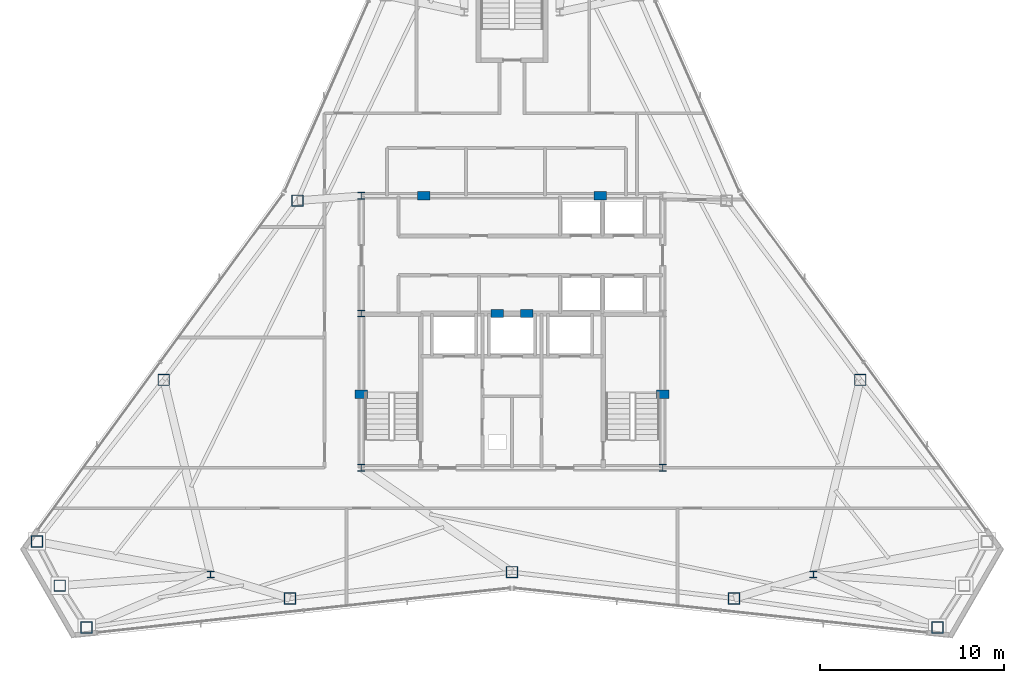
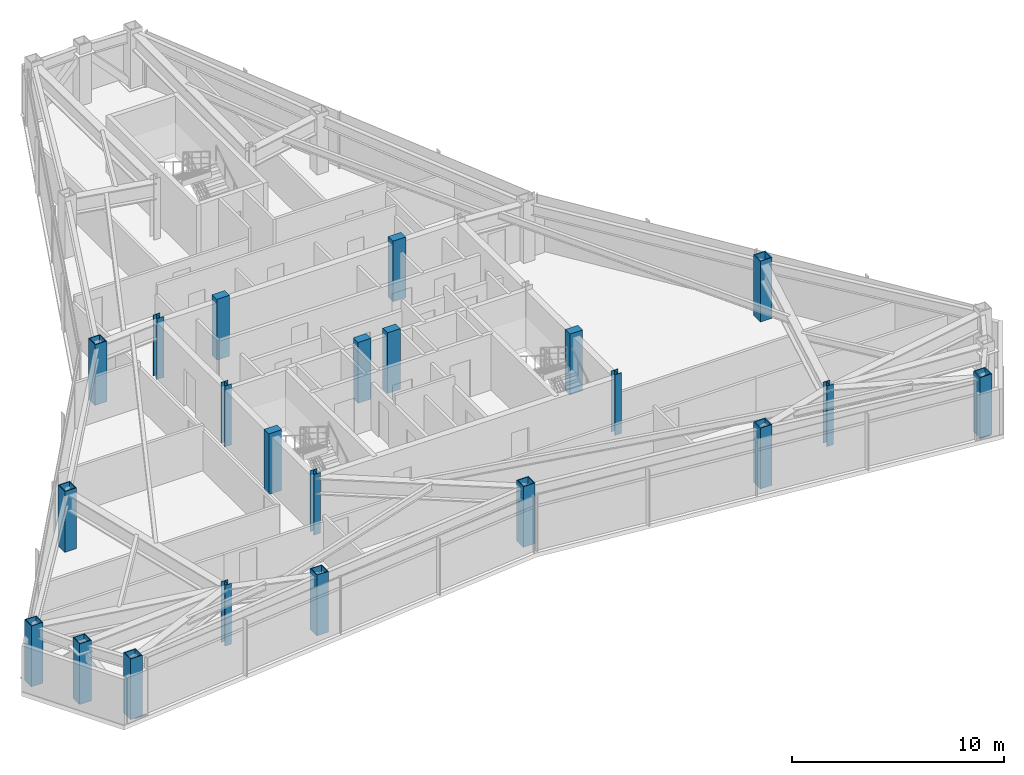
# One storey, part 1 of 12: 22 columns.
"""IFC4 building model written with IfcOpenShell, lengths in metres."""

from ifc_helpers import new_model, si_unit, direction, frame, origin, origin_2d, place, context, subcontext, project, spatial, rectangle, hollow_rectangle, i_section, extrude, material, material_profile, profile_set, type_object, element, save


model = new_model("IFC4")

# Units and contexts
model_context = context("Model", 3, precision=1e-05, world=origin(), true_north=direction((0.0, 1.0)))
body_context = subcontext(model_context, "Body", "Model", "MODEL_VIEW")
ifc_project = project(units=[si_unit("LENGTHUNIT", "METRE"), si_unit("AREAUNIT", "SQUARE_METRE"), si_unit("VOLUMEUNIT", "CUBIC_METRE"), si_unit("PLANEANGLEUNIT", "RADIAN"), si_unit("MASSUNIT", "GRAM", prefix="KILO")], contexts=[model_context])

# Site, building, storey
site_placement = place(None, origin())
site = spatial("IfcSite", under=ifc_project, at=site_placement, CompositionType="ELEMENT")
building_placement = place(site_placement, origin())
building = spatial("IfcBuilding", under=site, at=building_placement, Name="Varakhsha Concourse Tower", CompositionType="ELEMENT")
storey_placement = place(building_placement, frame((0.0, 0.0, 269.0)))
storey = spatial("IfcBuildingStorey", under=building, at=storey_placement, Name="L76", CompositionType="ELEMENT", Elevation=269.0)

# Columns
ifc_material_1 = material(Name="Structural Steel ASTM A992 Grade 50", Category="steel")
ifc_material_profile_1 = material_profile(ifc_material_1, i_section(OverallWidth=0.3740234375, OverallDepth=0.3720703125, WebThickness=0.01611328125, FlangeThickness=0.02587890625, at=origin_2d()), Name="W14X132")
ifc_profile_set_1 = profile_set([ifc_material_profile_1], Name="Structural Steel ASTM A992 Grade 50")
column_type_1 = type_object("IfcColumnType", Name="CL-CORE-W14X132", PredefinedType="COLUMN", material=ifc_profile_set_1)
for number, where, z_axis, x_axis, name in (
    (1, (31.800048828125, 16.39990234375, 0.0), (0.0, 0.0, 1.0), (1.0, 0.0, 0.0), "L76 Core Column CC-SW"),
    (2, (48.199951171875, 16.39990234375, 0.0), (0.0, 0.0, 1.0), (1.0, 0.0, 0.0), "L76 Core Column CC-SE"),
    (3, (31.800048828125, 24.800048828125, 0.0), (0.0, 0.0, 1.0), (1.0, 0.0, 0.0), "L76 Core Column CC-MW"),
    (4, (31.800048828125, 31.199951171875, 0.0), (0.0, 0.0, 1.0), (1.0, 0.0, 0.0), "L76 Core Column CC-NW"),
    (5, (23.60009765625, 10.60009765625, 0.0), (0.0, 0.0, 1.0), (1.0, 0.0, 0.0), "L76 Core Column SS-W"),
    (6, (56.39990234375, 10.60009765625, 0.0), (0.0, 0.0, 1.0), (1.0, 0.0, 0.0), "L76 Core Column SS-E"),
):
    element("IfcColumn", number, at=place(storey_placement, frame(where, z_axis=z_axis, x_axis=x_axis)), inside=storey, type_object=column_type_1, Name=name, PredefinedType="COLUMN", context=body_context, shape_type="SweptSolid", body=[
        extrude(i_section(OverallWidth=0.3740234375, OverallDepth=0.3720703125, WebThickness=0.01611328125, FlangeThickness=0.02587890625, at=origin_2d()), origin(), (0.0, 0.0, 1.0), 3.5),
    ])
ifc_material_2 = material(Name="Concrete fc 65 MPa", Category="concrete")
ifc_material_profile_2 = material_profile(ifc_material_2, rectangle(XDim=0.699951171875, YDim=0.449951171875, at=origin_2d()), Name="RC 700x450")
ifc_profile_set_2 = profile_set([ifc_material_profile_2], Name="Concrete fc 65 MPa")
column_type_2 = type_object("IfcColumnType", Name="CL-PIL-700X450", PredefinedType="PILASTER", material=ifc_profile_set_2)
for number, where, z_axis, x_axis, name in (
    (7, (31.800048828125, 20.39990234375, 0.0), (0.0, 0.0, 1.0), (1.0, 0.0, 0.0), "L76 Core Boundary Pilaster PIL-W1"),
    (8, (48.199951171875, 20.39990234375, 0.0), (0.0, 0.0, 1.0), (1.0, 0.0, 0.0), "L76 Core Boundary Pilaster PIL-E1"),
    (9, (35.199951171875, 31.199951171875, 0.0), (0.0, 0.0, 1.0), (1.0, 0.0, 0.0), "L76 Core Boundary Pilaster PIL-N1"),
    (10, (44.800048828125, 31.199951171875, 0.0), (0.0, 0.0, 1.0), (1.0, 0.0, 0.0), "L76 Core Boundary Pilaster PIL-N2"),
    (11, (39.199951171875, 24.800048828125, 0.0), (0.0, 0.0, 1.0), (1.0, 0.0, 0.0), "L76 Core Boundary Pilaster PIL-M1"),
    (12, (40.800048828125, 24.800048828125, 0.0), (0.0, 0.0, 1.0), (1.0, 0.0, 0.0), "L76 Core Boundary Pilaster PIL-M2"),
):
    element("IfcColumn", number, at=place(storey_placement, frame(where, z_axis=z_axis, x_axis=x_axis)), inside=storey, type_object=column_type_2, Name=name, PredefinedType="PILASTER", context=body_context, shape_type="SweptSolid", body=[
        extrude(rectangle(XDim=0.699951171875, YDim=0.449951171875, at=origin_2d()), origin(), (0.0, 0.0, 1.0), 3.5),
    ])
ifc_material_3 = material(Name="Structural Steel ASTM A572 Grade 50", Category="steel")
ifc_material_profile_3 = material_profile(ifc_material_3, hollow_rectangle(XDim=0.639892578125, YDim=0.639892578125, WallThickness=0.044921875, at=origin_2d()), Name="BOX 640x640x45")
ifc_profile_set_3 = profile_set([ifc_material_profile_3], Name="Structural Steel ASTM A572 Grade 50")
column_type_3 = type_object("IfcColumnType", Name="CL-TUBE-640", PredefinedType="COLUMN", material=ifc_profile_set_3)
for number, where, z_axis, x_axis, name in (
    (13, (28.3291015625, 30.938232421875, 0.0), (0.0, 0.0, 1.0), (1.0, 0.0, 0.0), "L76 Framed-Tube Column TC05"),
    (14, (21.05078125, 21.191162109375, 0.0), (0.0, 0.0, 1.0), (1.0, 0.0, 0.0), "L76 Framed-Tube Column TC06"),
    (15, (14.148681640625, 12.396728515625, 0.0), (0.0, 0.0, 1.0), (1.0, 0.0, 0.0), "L76 Framed-Tube Column TC07"),
    (16, (15.39013671875, 9.991455078125, 0.0), (0.0, 0.0, 1.0), (1.0, 0.0, 0.0), "L76 Framed-Tube Column TC08"),
    (17, (16.852294921875, 7.713623046875, 0.0), (0.0, 0.0, 1.0), (1.0, 0.0, 0.0), "L76 Framed-Tube Column TC09"),
    (18, (27.919677734375, 9.2939453125, 0.0), (0.0, 0.0, 1.0), (1.0, 0.0, 0.0), "L76 Framed-Tube Column TC10"),
    (19, (40.0, 10.7236328125, 0.0), (0.0, 0.0, 1.0), (1.0, 0.0, 0.0), "L76 Framed-Tube Column TC11"),
    (20, (52.080322265625, 9.2939453125, 0.0), (0.0, 0.0, 1.0), (1.0, 0.0, 0.0), "L76 Framed-Tube Column TC12"),
    (21, (63.147705078125, 7.713623046875, 0.0), (0.0, 0.0, 1.0), (1.0, 0.0, 0.0), "L76 Framed-Tube Column TC13"),
    (22, (58.94921875, 21.191162109375, 0.0), (0.0, 0.0, 1.0), (1.0, 0.0, 0.0), "L76 Framed-Tube Column TC16"),
):
    element("IfcColumn", number, at=place(storey_placement, frame(where, z_axis=z_axis, x_axis=x_axis)), inside=storey, type_object=column_type_3, Name=name, PredefinedType="COLUMN", context=body_context, shape_type="SweptSolid", body=[
        extrude(hollow_rectangle(XDim=0.639892578125, YDim=0.639892578125, WallThickness=0.044921875, at=origin_2d()), origin(), (0.0, 0.0, 1.0), 3.5),
    ])

save(model, "model.ifc")
